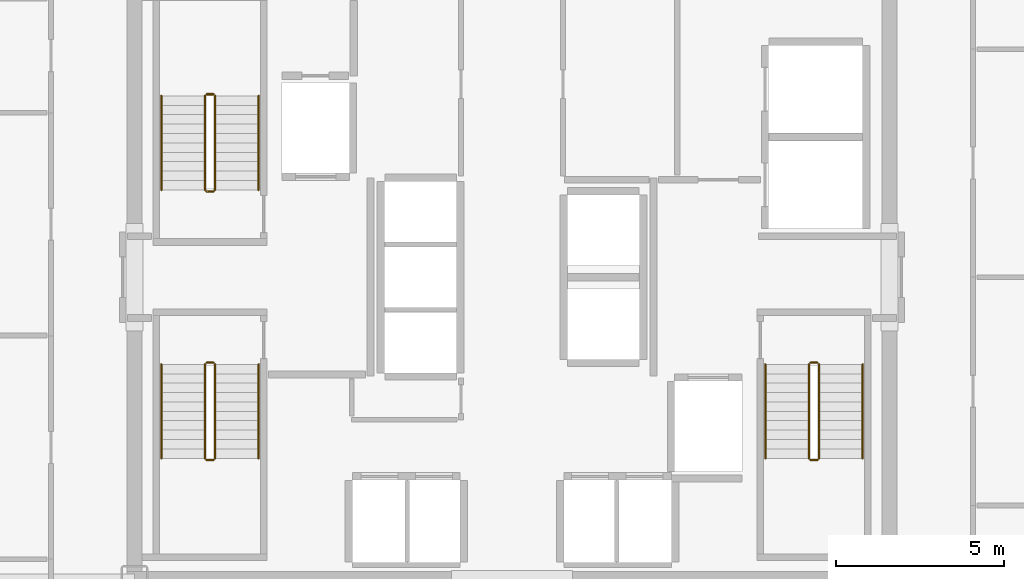
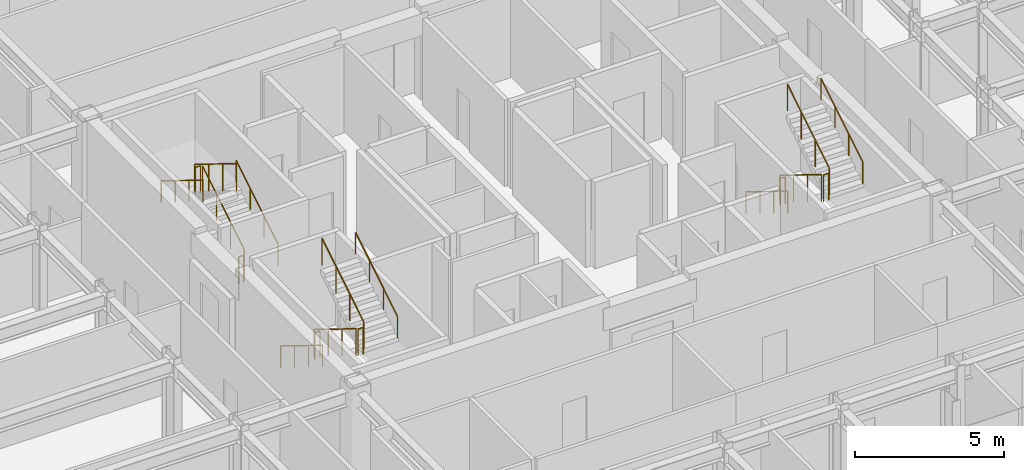
# One storey, part 20 of 20: 18 railings.
"""IFC4 building model written with IfcOpenShell, lengths in metres."""

from ifc_helpers import new_model, si_unit, direction, frame, origin, origin_2d, place, context, subcontext, project, spatial, circle, extrude, material, type_object, element, save


model = new_model("IFC4")

# Units and contexts
model_context = context("Model", 3, precision=1e-05, world=origin(), true_north=direction((0.0, 1.0)))
body_context = subcontext(model_context, "Body", "Model", "MODEL_VIEW")
ifc_project = project(units=[si_unit("LENGTHUNIT", "METRE"), si_unit("AREAUNIT", "SQUARE_METRE"), si_unit("VOLUMEUNIT", "CUBIC_METRE"), si_unit("PLANEANGLEUNIT", "RADIAN"), si_unit("MASSUNIT", "GRAM", prefix="KILO")], contexts=[model_context])

# Site, building, storey
site_placement = place(None, origin())
site = spatial("IfcSite", under=ifc_project, at=site_placement, CompositionType="ELEMENT")
building_placement = place(site_placement, origin())
building = spatial("IfcBuilding", under=site, at=building_placement, Name="Nefas-Gora Pilgrimage Tower", CompositionType="ELEMENT")
storey_placement = place(building_placement, frame((0.0, 0.0, 214.199951171875)))
storey = spatial("IfcBuildingStorey", under=building, at=storey_placement, Name="L53", CompositionType="ELEMENT", Elevation=214.199951171875)

# Railings
ifc_material_1 = material(Name="Painted galvanised steel", Category="steel")
railing_type_1 = type_object("IfcRailingType", Name="RLG-STR-GUARD-1100", PredefinedType="GUARDRAIL", material=ifc_material_1)
railing_1_placement = place(storey_placement, frame((-8.85009765625, 2.60009765625, 0.1728515625)))
element("IfcRailing", 1, at=railing_1_placement, inside=storey, type_object=railing_type_1, Name="L53 ST-01 stair guard 1", PredefinedType="GUARDRAIL", context=body_context, shape_type="SweptSolid", body=[
    extrude(circle(Radius=0.02392578125, at=origin_2d()), frame((0.0, 0.0, 1.09619140625), z_axis=(0.0, 0.851069175582, 0.525053576669), x_axis=(-1.0, 0.0, 0.0)), (0.0, 0.0, 1.0), 3.289794921875),
    extrude(circle(Radius=0.02099609375, at=origin_2d()), origin(), (0.0, 0.0, 1.0), 1.072021484375),
    extrude(circle(Radius=0.02099609375, at=origin_2d()), frame((0.0, 0.933349609375, 0.57568359375)), (0.0, 0.0, 1.0), 1.072021484375),
    extrude(circle(Radius=0.02099609375, at=origin_2d()), frame((0.0, 1.866455078125, 1.151611328125)), (0.0, 0.0, 1.0), 1.072021484375),
    extrude(circle(Radius=0.02099609375, at=origin_2d()), frame((0.0, 2.7998046875, 1.727294921875)), (0.0, 0.0, 1.0), 1.072021484375),
])
railing_2_placement = place(storey_placement, frame((-8.89990234375, 5.449951171875, 1.900146484375)))
element("IfcRailing", 2, at=railing_2_placement, inside=storey, type_object=railing_type_1, Name="L53 ST-01 stair guard 2", PredefinedType="GUARDRAIL", context=body_context, shape_type="SweptSolid", body=[
    extrude(circle(Radius=0.02392578125, at=origin_2d()), frame((0.0, 0.0, 1.09619140625), z_axis=(-1.0, 0.0, 0.0), x_axis=(0.0, -1.0, 0.0)), (0.0, 0.0, 1.0), 0.2001953125),
    extrude(circle(Radius=0.02099609375, at=origin_2d()), origin(), (0.0, 0.0, 1.0), 1.072021484375),
    extrude(circle(Radius=0.02099609375, at=origin_2d()), frame((-0.2001953125, 0.0, 0.0)), (0.0, 0.0, 1.0), 1.072021484375),
])
railing_3_placement = place(storey_placement, frame((-9.14990234375, 5.39990234375, 2.07275390625)))
element("IfcRailing", 3, at=railing_3_placement, inside=storey, type_object=railing_type_1, Name="L53 ST-01 stair guard 3", PredefinedType="GUARDRAIL", context=body_context, shape_type="SweptSolid", body=[
    extrude(circle(Radius=0.02392578125, at=origin_2d()), frame((0.0, 0.0, 1.09619140625), z_axis=(0.0, -0.851069175582, 0.525053576669), x_axis=(1.0, 0.0, 0.0)), (0.0, 0.0, 1.0), 3.289794921875),
    extrude(circle(Radius=0.02099609375, at=origin_2d()), origin(), (0.0, 0.0, 1.0), 1.072021484375),
    extrude(circle(Radius=0.02099609375, at=origin_2d()), frame((0.0, -0.933349609375, 0.57568359375)), (0.0, 0.0, 1.0), 1.072021484375),
    extrude(circle(Radius=0.02099609375, at=origin_2d()), frame((0.0, -1.866455078125, 1.151611328125)), (0.0, 0.0, 1.0), 1.072021484375),
    extrude(circle(Radius=0.02099609375, at=origin_2d()), frame((0.0, -2.7998046875, 1.727294921875)), (0.0, 0.0, 1.0), 1.072021484375),
])
railing_4_placement = place(storey_placement, frame((-8.89990234375, 2.550048828125, 0.0)))
element("IfcRailing", 4, at=railing_4_placement, inside=storey, type_object=railing_type_1, Name="L53 ST-01 stair guard 4", PredefinedType="GUARDRAIL", context=body_context, shape_type="SweptSolid", body=[
    extrude(circle(Radius=0.02392578125, at=origin_2d()), frame((0.0, 0.0, 1.09619140625), z_axis=(-1.0, 0.0, 0.0), x_axis=(0.0, -1.0, 0.0)), (0.0, 0.0, 1.0), 0.2001953125),
    extrude(circle(Radius=0.02099609375, at=origin_2d()), origin(), (0.0, 0.0, 1.0), 1.072021484375),
    extrude(circle(Radius=0.02099609375, at=origin_2d()), frame((-0.2001953125, 0.0, 0.0)), (0.0, 0.0, 1.0), 1.072021484375),
])
railing_5_placement = place(storey_placement, frame((8.85009765625, -2.60009765625, 0.1728515625)))
element("IfcRailing", 5, at=railing_5_placement, inside=storey, type_object=railing_type_1, Name="L53 ST-02 stair guard 1", PredefinedType="GUARDRAIL", context=body_context, shape_type="SweptSolid", body=[
    extrude(circle(Radius=0.02392578125, at=origin_2d()), frame((0.0, 0.0, 1.09619140625), z_axis=(0.0, -0.851069175582, 0.525053576669), x_axis=(1.0, 0.0, 0.0)), (0.0, 0.0, 1.0), 3.289794921875),
    extrude(circle(Radius=0.02099609375, at=origin_2d()), origin(), (0.0, 0.0, 1.0), 1.072021484375),
    extrude(circle(Radius=0.02099609375, at=origin_2d()), frame((0.0, -0.933349609375, 0.57568359375)), (0.0, 0.0, 1.0), 1.072021484375),
    extrude(circle(Radius=0.02099609375, at=origin_2d()), frame((0.0, -1.866455078125, 1.151611328125)), (0.0, 0.0, 1.0), 1.072021484375),
    extrude(circle(Radius=0.02099609375, at=origin_2d()), frame((0.0, -2.7998046875, 1.727294921875)), (0.0, 0.0, 1.0), 1.072021484375),
])
railing_6_placement = place(storey_placement, frame((8.89990234375, -5.449951171875, 1.900146484375)))
element("IfcRailing", 6, at=railing_6_placement, inside=storey, type_object=railing_type_1, Name="L53 ST-02 stair guard 2", PredefinedType="GUARDRAIL", context=body_context, shape_type="SweptSolid", body=[
    extrude(circle(Radius=0.02392578125, at=origin_2d()), frame((0.0, 0.0, 1.09619140625), z_axis=(1.0, 0.0, 0.0), x_axis=(0.0, 1.0, 0.0)), (0.0, 0.0, 1.0), 0.2001953125),
    extrude(circle(Radius=0.02099609375, at=origin_2d()), origin(), (0.0, 0.0, 1.0), 1.072021484375),
    extrude(circle(Radius=0.02099609375, at=origin_2d()), frame((0.2001953125, 0.0, 0.0)), (0.0, 0.0, 1.0), 1.072021484375),
])
railing_7_placement = place(storey_placement, frame((9.14990234375, -5.39990234375, 2.07275390625)))
element("IfcRailing", 7, at=railing_7_placement, inside=storey, type_object=railing_type_1, Name="L53 ST-02 stair guard 3", PredefinedType="GUARDRAIL", context=body_context, shape_type="SweptSolid", body=[
    extrude(circle(Radius=0.02392578125, at=origin_2d()), frame((0.0, 0.0, 1.09619140625), z_axis=(0.0, 0.851069175582, 0.525053576669), x_axis=(-1.0, 0.0, 0.0)), (0.0, 0.0, 1.0), 3.289794921875),
    extrude(circle(Radius=0.02099609375, at=origin_2d()), origin(), (0.0, 0.0, 1.0), 1.072021484375),
    extrude(circle(Radius=0.02099609375, at=origin_2d()), frame((0.0, 0.933349609375, 0.57568359375)), (0.0, 0.0, 1.0), 1.072021484375),
    extrude(circle(Radius=0.02099609375, at=origin_2d()), frame((0.0, 1.866455078125, 1.151611328125)), (0.0, 0.0, 1.0), 1.072021484375),
    extrude(circle(Radius=0.02099609375, at=origin_2d()), frame((0.0, 2.7998046875, 1.727294921875)), (0.0, 0.0, 1.0), 1.072021484375),
])
railing_8_placement = place(storey_placement, frame((8.89990234375, -2.550048828125, 0.0)))
element("IfcRailing", 8, at=railing_8_placement, inside=storey, type_object=railing_type_1, Name="L53 ST-02 stair guard 4", PredefinedType="GUARDRAIL", context=body_context, shape_type="SweptSolid", body=[
    extrude(circle(Radius=0.02392578125, at=origin_2d()), frame((0.0, 0.0, 1.09619140625), z_axis=(1.0, 0.0, 0.0), x_axis=(0.0, 1.0, 0.0)), (0.0, 0.0, 1.0), 0.2001953125),
    extrude(circle(Radius=0.02099609375, at=origin_2d()), origin(), (0.0, 0.0, 1.0), 1.072021484375),
    extrude(circle(Radius=0.02099609375, at=origin_2d()), frame((0.2001953125, 0.0, 0.0)), (0.0, 0.0, 1.0), 1.072021484375),
])
railing_9_placement = place(storey_placement, frame((-9.14990234375, -2.60009765625, 0.1728515625)))
element("IfcRailing", 9, at=railing_9_placement, inside=storey, type_object=railing_type_1, Name="L53 ST-03 stair guard 1", PredefinedType="GUARDRAIL", context=body_context, shape_type="SweptSolid", body=[
    extrude(circle(Radius=0.02392578125, at=origin_2d()), frame((0.0, 0.0, 1.09619140625), z_axis=(0.0, -0.851069175582, 0.525053576669), x_axis=(1.0, 0.0, 0.0)), (0.0, 0.0, 1.0), 3.289794921875),
    extrude(circle(Radius=0.02099609375, at=origin_2d()), origin(), (0.0, 0.0, 1.0), 1.072021484375),
    extrude(circle(Radius=0.02099609375, at=origin_2d()), frame((0.0, -0.933349609375, 0.57568359375)), (0.0, 0.0, 1.0), 1.072021484375),
    extrude(circle(Radius=0.02099609375, at=origin_2d()), frame((0.0, -1.866455078125, 1.151611328125)), (0.0, 0.0, 1.0), 1.072021484375),
    extrude(circle(Radius=0.02099609375, at=origin_2d()), frame((0.0, -2.7998046875, 1.727294921875)), (0.0, 0.0, 1.0), 1.072021484375),
])
railing_10_placement = place(storey_placement, frame((-9.10009765625, -5.449951171875, 1.900146484375)))
element("IfcRailing", 10, at=railing_10_placement, inside=storey, type_object=railing_type_1, Name="L53 ST-03 stair guard 2", PredefinedType="GUARDRAIL", context=body_context, shape_type="SweptSolid", body=[
    extrude(circle(Radius=0.02392578125, at=origin_2d()), frame((0.0, 0.0, 1.09619140625), z_axis=(1.0, 0.0, 0.0), x_axis=(0.0, 1.0, 0.0)), (0.0, 0.0, 1.0), 0.2001953125),
    extrude(circle(Radius=0.02099609375, at=origin_2d()), origin(), (0.0, 0.0, 1.0), 1.072021484375),
    extrude(circle(Radius=0.02099609375, at=origin_2d()), frame((0.2001953125, 0.0, 0.0)), (0.0, 0.0, 1.0), 1.072021484375),
])
railing_11_placement = place(storey_placement, frame((-8.85009765625, -5.39990234375, 2.07275390625)))
element("IfcRailing", 11, at=railing_11_placement, inside=storey, type_object=railing_type_1, Name="L53 ST-03 stair guard 3", PredefinedType="GUARDRAIL", context=body_context, shape_type="SweptSolid", body=[
    extrude(circle(Radius=0.02392578125, at=origin_2d()), frame((0.0, 0.0, 1.09619140625), z_axis=(0.0, 0.851069175582, 0.525053576669), x_axis=(-1.0, 0.0, 0.0)), (0.0, 0.0, 1.0), 3.289794921875),
    extrude(circle(Radius=0.02099609375, at=origin_2d()), origin(), (0.0, 0.0, 1.0), 1.072021484375),
    extrude(circle(Radius=0.02099609375, at=origin_2d()), frame((0.0, 0.933349609375, 0.57568359375)), (0.0, 0.0, 1.0), 1.072021484375),
    extrude(circle(Radius=0.02099609375, at=origin_2d()), frame((0.0, 1.866455078125, 1.151611328125)), (0.0, 0.0, 1.0), 1.072021484375),
    extrude(circle(Radius=0.02099609375, at=origin_2d()), frame((0.0, 2.7998046875, 1.727294921875)), (0.0, 0.0, 1.0), 1.072021484375),
])
railing_12_placement = place(storey_placement, frame((-9.10009765625, -2.550048828125, 0.0)))
element("IfcRailing", 12, at=railing_12_placement, inside=storey, type_object=railing_type_1, Name="L53 ST-03 stair guard 4", PredefinedType="GUARDRAIL", context=body_context, shape_type="SweptSolid", body=[
    extrude(circle(Radius=0.02392578125, at=origin_2d()), frame((0.0, 0.0, 1.09619140625), z_axis=(1.0, 0.0, 0.0), x_axis=(0.0, 1.0, 0.0)), (0.0, 0.0, 1.0), 0.2001953125),
    extrude(circle(Radius=0.02099609375, at=origin_2d()), origin(), (0.0, 0.0, 1.0), 1.072021484375),
    extrude(circle(Radius=0.02099609375, at=origin_2d()), frame((0.2001953125, 0.0, 0.0)), (0.0, 0.0, 1.0), 1.072021484375),
])
ifc_material_2 = material(Name="Brushed stainless steel", Category="steel")
railing_type_2 = type_object("IfcRailingType", Name="RLG-STR-HAND-900", PredefinedType="HANDRAIL", material=ifc_material_2)
railing_13_placement = place(storey_placement, frame((-7.550048828125, 2.60009765625, 0.1728515625)))
element("IfcRailing", 13, at=railing_13_placement, inside=storey, type_object=railing_type_2, Name="L53 ST-01 stair handrail 1", PredefinedType="HANDRAIL", context=body_context, shape_type="SweptSolid", body=[
    extrude(circle(Radius=0.02392578125, at=origin_2d()), frame((0.0, 0.0, 0.8759765625), z_axis=(0.0, 0.851069175582, 0.525053576669), x_axis=(-1.0, 0.0, 0.0)), (0.0, 0.0, 1.0), 3.289794921875),
    extrude(circle(Radius=0.02099609375, at=origin_2d()), origin(), (0.0, 0.0, 1.0), 0.851806640625),
    extrude(circle(Radius=0.02099609375, at=origin_2d()), frame((0.0, 0.933349609375, 0.57568359375)), (0.0, 0.0, 1.0), 0.851806640625),
    extrude(circle(Radius=0.02099609375, at=origin_2d()), frame((0.0, 1.866455078125, 1.151611328125)), (0.0, 0.0, 1.0), 0.851806640625),
    extrude(circle(Radius=0.02099609375, at=origin_2d()), frame((0.0, 2.7998046875, 1.727294921875)), (0.0, 0.0, 1.0), 0.851806640625),
])
for number, where, name in (
    (14, (-10.449951171875, 5.39990234375, 2.07275390625), "L53 ST-01 stair handrail 2"),
    (15, (7.550048828125, -2.60009765625, 0.1728515625), "L53 ST-02 stair handrail 1"),
):
    element("IfcRailing", number, at=place(storey_placement, frame(where)), inside=storey, type_object=railing_type_2, Name=name, PredefinedType="HANDRAIL", context=body_context, shape_type="SweptSolid", body=[
        extrude(circle(Radius=0.02392578125, at=origin_2d()), frame((0.0, 0.0, 0.8759765625), z_axis=(0.0, -0.851069175582, 0.525053576669), x_axis=(1.0, 0.0, 0.0)), (0.0, 0.0, 1.0), 3.289794921875),
        extrude(circle(Radius=0.02099609375, at=origin_2d()), origin(), (0.0, 0.0, 1.0), 0.851806640625),
        extrude(circle(Radius=0.02099609375, at=origin_2d()), frame((0.0, -0.933349609375, 0.57568359375)), (0.0, 0.0, 1.0), 0.851806640625),
        extrude(circle(Radius=0.02099609375, at=origin_2d()), frame((0.0, -1.866455078125, 1.151611328125)), (0.0, 0.0, 1.0), 0.851806640625),
        extrude(circle(Radius=0.02099609375, at=origin_2d()), frame((0.0, -2.7998046875, 1.727294921875)), (0.0, 0.0, 1.0), 0.851806640625),
    ])
railing_14_placement = place(storey_placement, frame((10.449951171875, -5.39990234375, 2.07275390625)))
element("IfcRailing", 16, at=railing_14_placement, inside=storey, type_object=railing_type_2, Name="L53 ST-02 stair handrail 2", PredefinedType="HANDRAIL", context=body_context, shape_type="SweptSolid", body=[
    extrude(circle(Radius=0.02392578125, at=origin_2d()), frame((0.0, 0.0, 0.8759765625), z_axis=(0.0, 0.851069175582, 0.525053576669), x_axis=(-1.0, 0.0, 0.0)), (0.0, 0.0, 1.0), 3.289794921875),
    extrude(circle(Radius=0.02099609375, at=origin_2d()), origin(), (0.0, 0.0, 1.0), 0.851806640625),
    extrude(circle(Radius=0.02099609375, at=origin_2d()), frame((0.0, 0.933349609375, 0.57568359375)), (0.0, 0.0, 1.0), 0.851806640625),
    extrude(circle(Radius=0.02099609375, at=origin_2d()), frame((0.0, 1.866455078125, 1.151611328125)), (0.0, 0.0, 1.0), 0.851806640625),
    extrude(circle(Radius=0.02099609375, at=origin_2d()), frame((0.0, 2.7998046875, 1.727294921875)), (0.0, 0.0, 1.0), 0.851806640625),
])
railing_15_placement = place(storey_placement, frame((-10.449951171875, -2.60009765625, 0.1728515625)))
element("IfcRailing", 17, at=railing_15_placement, inside=storey, type_object=railing_type_2, Name="L53 ST-03 stair handrail 1", PredefinedType="HANDRAIL", context=body_context, shape_type="SweptSolid", body=[
    extrude(circle(Radius=0.02392578125, at=origin_2d()), frame((0.0, 0.0, 0.8759765625), z_axis=(0.0, -0.851069175582, 0.525053576669), x_axis=(1.0, 0.0, 0.0)), (0.0, 0.0, 1.0), 3.289794921875),
    extrude(circle(Radius=0.02099609375, at=origin_2d()), origin(), (0.0, 0.0, 1.0), 0.851806640625),
    extrude(circle(Radius=0.02099609375, at=origin_2d()), frame((0.0, -0.933349609375, 0.57568359375)), (0.0, 0.0, 1.0), 0.851806640625),
    extrude(circle(Radius=0.02099609375, at=origin_2d()), frame((0.0, -1.866455078125, 1.151611328125)), (0.0, 0.0, 1.0), 0.851806640625),
    extrude(circle(Radius=0.02099609375, at=origin_2d()), frame((0.0, -2.7998046875, 1.727294921875)), (0.0, 0.0, 1.0), 0.851806640625),
])
railing_16_placement = place(storey_placement, frame((-7.550048828125, -5.39990234375, 2.07275390625)))
element("IfcRailing", 18, at=railing_16_placement, inside=storey, type_object=railing_type_2, Name="L53 ST-03 stair handrail 2", PredefinedType="HANDRAIL", context=body_context, shape_type="SweptSolid", body=[
    extrude(circle(Radius=0.02392578125, at=origin_2d()), frame((0.0, 0.0, 0.8759765625), z_axis=(0.0, 0.851069175582, 0.525053576669), x_axis=(-1.0, 0.0, 0.0)), (0.0, 0.0, 1.0), 3.289794921875),
    extrude(circle(Radius=0.02099609375, at=origin_2d()), origin(), (0.0, 0.0, 1.0), 0.851806640625),
    extrude(circle(Radius=0.02099609375, at=origin_2d()), frame((0.0, 0.933349609375, 0.57568359375)), (0.0, 0.0, 1.0), 0.851806640625),
    extrude(circle(Radius=0.02099609375, at=origin_2d()), frame((0.0, 1.866455078125, 1.151611328125)), (0.0, 0.0, 1.0), 0.851806640625),
    extrude(circle(Radius=0.02099609375, at=origin_2d()), frame((0.0, 2.7998046875, 1.727294921875)), (0.0, 0.0, 1.0), 0.851806640625),
])

save(model, "model.ifc")
